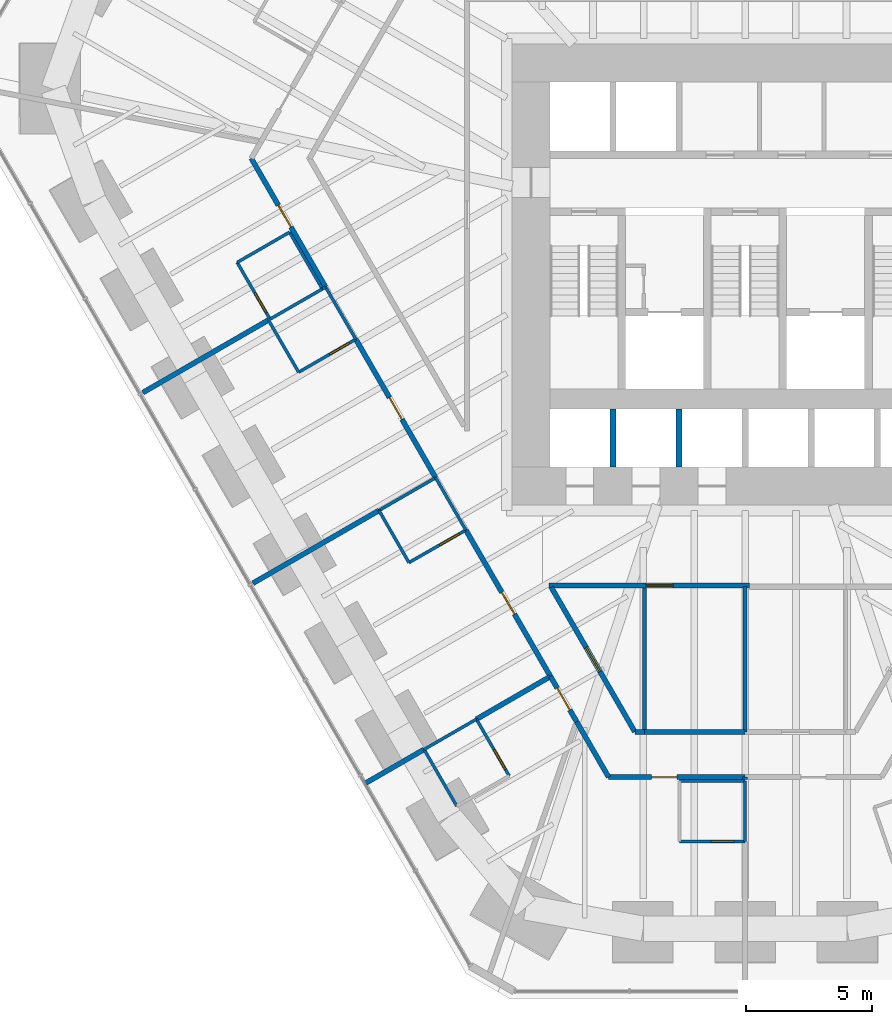
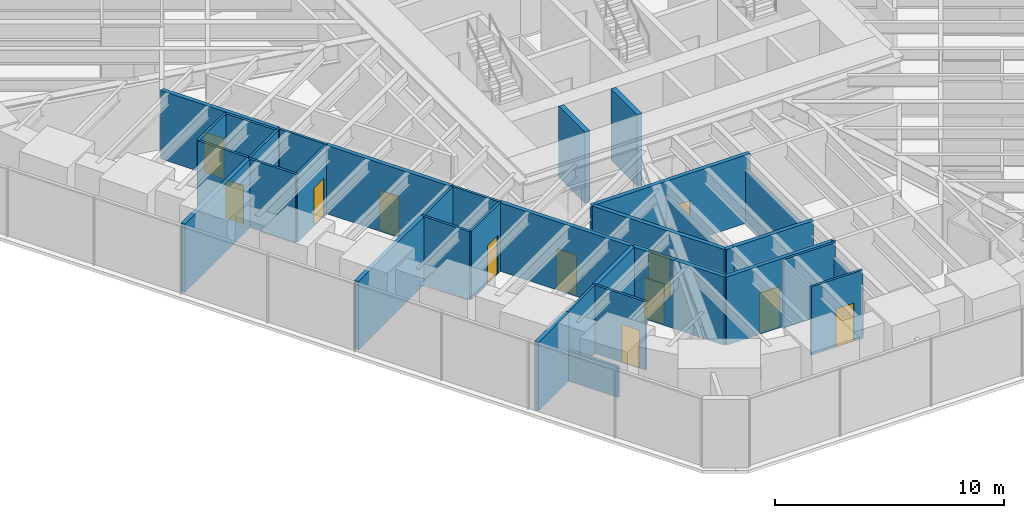
# One storey, part 11 of 17: 37 walls, 12 doors, 12 openings.
"""IFC4 building model written with IfcOpenShell, lengths in metres."""

from ifc_helpers import new_model, si_unit, direction, frame, frame_2d, origin, place, context, subcontext, project, spatial, rectangle, extrude, material, layer, layer_set, type_object, element, fill, save


model = new_model("IFC4")

# Units and contexts
model_context = context("Model", 3, precision=1e-05, world=origin(), true_north=direction((0.0, 1.0)))
body_context = subcontext(model_context, "Body", "Model", "MODEL_VIEW")
ifc_project = project(units=[si_unit("LENGTHUNIT", "METRE"), si_unit("AREAUNIT", "SQUARE_METRE"), si_unit("VOLUMEUNIT", "CUBIC_METRE"), si_unit("PLANEANGLEUNIT", "RADIAN"), si_unit("MASSUNIT", "GRAM", prefix="KILO")], contexts=[model_context])

# Site, building, storey
site_placement = place(None, origin())
site = spatial("IfcSite", under=ifc_project, at=site_placement, CompositionType="ELEMENT")
building_placement = place(site_placement, origin())
building = spatial("IfcBuilding", under=site, at=building_placement, Name="Sandreach Pilgrim Tower", CompositionType="ELEMENT")
storey_placement = place(building_placement, frame((0.0, 0.0, 80.0)))
storey = spatial("IfcBuildingStorey", under=building, at=storey_placement, Name="L19", CompositionType="ELEMENT", Elevation=80.0)

# Walls
ifc_material_1 = material(Name="Gypsum board on steel studs", Category="steel")
ifc_layer_1 = layer(ifc_material_1, 0.14990234375)
ifc_layer_set_1 = layer_set([ifc_layer_1], Name="Back of house wall 150")
wall_type_1 = type_object("IfcWallType", Name="Back of house wall 150", PredefinedType="PARTITIONING", material=ifc_layer_set_1)
wall_1_placement = place(storey_placement, frame((-4.0, -14.0, 0.0), z_axis=(0.0, 0.0, 1.0), x_axis=(0.0, -1.0, 0.0)))
element("IfcWall", 1, at=wall_1_placement, inside=storey, type_object=wall_type_1, Name="Back of house wall L19-062", PredefinedType="PARTITIONING", context=body_context, shape_type="SweptSolid", body=[
    extrude(rectangle(XDim=5.7099609375, YDim=0.14990234375, at=frame_2d((2.85498046875, 0.0))), origin(), (0.0, 0.0, 1.0), 2.8779296875),
])
wall_2_placement = place(storey_placement, frame((0.0, -13.949951171875, 0.0), z_axis=(0.0, 0.0, 1.0), x_axis=(0.0, -1.0, 0.0)))
element("IfcWall", 2, at=wall_2_placement, inside=storey, type_object=wall_type_1, Name="Back of house wall L19-075", PredefinedType="PARTITIONING", context=body_context, shape_type="SweptSolid", body=[
    extrude(rectangle(XDim=5.760009765625, YDim=0.14990234375, at=frame_2d((2.8798828125, 0.0))), origin(), (0.0, 0.0, 1.0), 2.860107421875),
])

# Wall, opening, door
ifc_material_2 = material(Name="Moisture-resistant gypsum board on steel studs", Category="steel")
ifc_layer_2 = layer(ifc_material_2, 0.1201171875)
ifc_layer_set_2 = layer_set([ifc_layer_2], Name="Bathroom partition 120")
wall_type_2 = type_object("IfcWallType", Name="Bathroom partition 120", PredefinedType="PARTITIONING", material=ifc_layer_set_2)
wall_3_placement = place(storey_placement, frame((-20.169921875, -1.070068359375, 0.0), z_axis=(0.0, 0.0, 1.0), x_axis=(0.500291685314, -0.865856933682, 0.0)))
wall_3 = element("IfcWall", 3, at=wall_3_placement, inside=storey, type_object=wall_type_2, Name="Bathroom partition L19-005", PredefinedType="PARTITIONING", context=body_context, shape_type="SweptSolid", body=[
    extrude(rectangle(XDim=2.5986328125, YDim=0.1201171875, at=frame_2d((1.29931640625, 0.0))), origin(), (0.0, 0.0, 1.0), 3.639892578125),
])
opening_1_placement = place(wall_3_placement, frame((1.398681640625, 0.0, 0.0)))
opening_1 = element("IfcOpeningElement", 4, at=opening_1_placement, cuts=wall_3, Name="Opening D09-16B", PredefinedType="OPENING", context=body_context, shape_type="SweptSolid", body=[
    extrude(rectangle(XDim=0.89990234375, YDim=2.030029296875, at=frame_2d((0.449951171875, 1.01513671875))), frame((0.0, 0.06005859375, 0.0), z_axis=(0.0, -1.0, 0.0), x_axis=(1.0, 0.0, 0.0)), (0.0, 0.0, 1.0), 0.1201171875),
])
ifc_material_3 = material(Name="Timber door, steel frame", Category="steel")
door_type_1 = type_object("IfcDoorType", Name="Bathroom door", OperationType="SINGLE_SWING_LEFT", PredefinedType="DOOR", material=ifc_material_3)
door_1_placement = place(opening_1_placement, origin())
door_1 = element("IfcDoor", 5, at=door_1_placement, inside=storey, type_object=door_type_1, Name="Door 1916B", OperationType="SINGLE_SWING_RIGHT", OverallHeight=2.030029296875, OverallWidth=0.89990234375, PredefinedType="DOOR", context=body_context, shape_type="SweptSolid", body=[
    extrude(rectangle(XDim=0.89990234375, YDim=2.030029296875, at=frame_2d((0.449951171875, 1.01513671875))), frame((0.0, 0.02490234375, 0.0), z_axis=(0.0, -1.0, 0.0), x_axis=(1.0, 0.0, 0.0)), (0.0, 0.0, 1.0), 0.050048828125),
])
fill(opening_1, door_1)

# Walls
wall_4_placement = place(storey_placement, frame((-18.929931640625, -3.360107421875, 0.0), z_axis=(0.0, 0.0, 1.0), x_axis=(0.501547039172, -0.865130376012, 0.0)))
element("IfcWall", 6, at=wall_4_placement, inside=storey, type_object=wall_type_2, Name="Bathroom partition L19-011", PredefinedType="PARTITIONING", context=body_context, shape_type="SweptSolid", body=[
    extrude(rectangle(XDim=2.392578125, YDim=0.1201171875, at=frame_2d((1.1962890625, 0.0))), origin(), (0.0, 0.0, 1.0), 3.639892578125),
])
wall_5_placement = place(storey_placement, frame((-18.86767578125, -3.323974609375, 0.0), z_axis=(0.0, 0.0, 1.0), x_axis=(0.866133109688, 0.499813401482, 0.0)))
element("IfcWall", 7, at=wall_5_placement, inside=storey, type_object=wall_type_2, Name="Bathroom partition L19-012", PredefinedType="PARTITIONING", context=body_context, shape_type="SweptSolid", body=[
    extrude(rectangle(XDim=2.4013671875, YDim=0.1201171875, at=frame_2d((1.20068359375, 0.0))), origin(), (0.0, 0.0, 1.0), 3.639892578125),
])
wall_6_placement = place(storey_placement, frame((-18.090087890625, 0.1298828125, 0.0), z_axis=(0.0, 0.0, 1.0), x_axis=(-0.866177122335, -0.499737123639, 0.0)))
element("IfcWall", 8, at=wall_6_placement, inside=storey, type_object=wall_type_2, Name="Bathroom partition L19-015", PredefinedType="PARTITIONING", context=body_context, shape_type="SweptSolid", body=[
    extrude(rectangle(XDim=2.401123046875, YDim=0.1201171875, at=frame_2d((1.20068359375, 0.0))), origin(), (0.0, 0.0, 1.0), 3.639892578125),
])

# Wall, opening, door
wall_7_placement = place(storey_placement, frame((-17.72998046875, -5.429931640625, 0.0), z_axis=(0.0, 0.0, 1.0), x_axis=(0.866114241029, 0.499846097802, 0.0)))
wall_7 = element("IfcWall", 9, at=wall_7_placement, inside=storey, type_object=wall_type_2, Name="Bathroom partition L19-016", PredefinedType="PARTITIONING", context=body_context, shape_type="SweptSolid", body=[
    extrude(rectangle(XDim=2.620849609375, YDim=0.1201171875, at=frame_2d((1.310546875, 0.0))), origin(), (0.0, 0.0, 1.0), 3.639892578125),
])
opening_2_placement = place(wall_7_placement, frame((1.4208984375, 0.0, 0.0)))
opening_2 = element("IfcOpeningElement", 10, at=opening_2_placement, cuts=wall_7, Name="Opening D09-15B", PredefinedType="OPENING", context=body_context, shape_type="SweptSolid", body=[
    extrude(rectangle(XDim=0.89990234375, YDim=2.030029296875, at=frame_2d((0.449951171875, 1.01513671875))), frame((0.0, 0.06005859375, 0.0), z_axis=(0.0, -1.0, 0.0), x_axis=(1.0, 0.0, 0.0)), (0.0, 0.0, 1.0), 0.1201171875),
])
door_2_placement = place(opening_2_placement, origin())
door_2 = element("IfcDoor", 11, at=door_2_placement, inside=storey, type_object=door_type_1, Name="Door 1915B", OperationType="SINGLE_SWING_RIGHT", OverallHeight=2.030029296875, OverallWidth=0.89990234375, PredefinedType="DOOR", context=body_context, shape_type="SweptSolid", body=[
    extrude(rectangle(XDim=0.89990234375, YDim=2.030029296875, at=frame_2d((0.449951171875, 1.01513671875))), frame((0.0, 0.02490234375, 0.0), z_axis=(0.0, -1.0, 0.0), x_axis=(1.0, 0.0, 0.0)), (0.0, 0.0, 1.0), 0.050048828125),
])
fill(opening_2, door_2)

# Walls
wall_8_placement = place(storey_placement, frame((-16.7900390625, -2.1201171875, 0.0), z_axis=(0.0, 0.0, 1.0), x_axis=(-0.50025099007, 0.865880446098, 0.0)))
element("IfcWall", 12, at=wall_8_placement, inside=storey, type_object=wall_type_2, Name="Bathroom partition L19-020", PredefinedType="PARTITIONING", context=body_context, shape_type="SweptSolid", body=[
    extrude(rectangle(XDim=2.598876953125, YDim=0.1201171875, at=frame_2d((1.29931640625, 0.0))), origin(), (0.0, 0.0, 1.0), 3.639892578125),
])
wall_9_placement = place(storey_placement, frame((-16.787841796875, -2.123779296875, 0.0), z_axis=(0.0, 0.0, 1.0), x_axis=(0.866405716731, 0.499340699338, 0.0)))
element("IfcWall", 13, at=wall_9_placement, inside=storey, type_object=wall_type_2, Name="Bathroom partition L19-021", PredefinedType="PARTITIONING", context=body_context, shape_type="SweptSolid", body=[
    extrude(rectangle(XDim=0.147705078125, YDim=0.1201171875, at=frame_2d((0.07373046875, 0.0))), origin(), (0.0, 0.0, 1.0), 3.639892578125),
])
wall_10_placement = place(storey_placement, frame((-16.659912109375, -2.050048828125, 0.0), z_axis=(0.0, 0.0, 1.0), x_axis=(0.501502765098, -0.865156041763, 0.0)))
element("IfcWall", 14, at=wall_10_placement, inside=storey, type_object=wall_type_2, Name="Bathroom partition L19-022", PredefinedType="PARTITIONING", context=body_context, shape_type="SweptSolid", body=[
    extrude(rectangle(XDim=2.392822265625, YDim=0.1201171875, at=frame_2d((1.1962890625, 0.0))), origin(), (0.0, 0.0, 1.0), 3.639892578125),
])
wall_11_placement = place(storey_placement, frame((-14.5400390625, -10.919921875, 0.0), z_axis=(0.0, 0.0, 1.0), x_axis=(0.49836161924, -0.866969259241, 0.0)))
element("IfcWall", 15, at=wall_11_placement, inside=storey, type_object=wall_type_2, Name="Bathroom partition L19-029", PredefinedType="PARTITIONING", context=body_context, shape_type="SweptSolid", body=[
    extrude(rectangle(XDim=2.3876953125, YDim=0.1201171875, at=frame_2d((1.19384765625, 0.0))), origin(), (0.0, 0.0, 1.0), 3.639892578125),
])
wall_12_placement = place(storey_placement, frame((-14.5400390625, -10.919921875, 0.0), z_axis=(0.0, 0.0, 1.0), x_axis=(0.865897630733, 0.500221244143, 0.0)))
element("IfcWall", 16, at=wall_12_placement, inside=storey, type_object=wall_type_2, Name="Bathroom partition L19-030", PredefinedType="PARTITIONING", context=body_context, shape_type="SweptSolid", body=[
    extrude(rectangle(XDim=2.598388671875, YDim=0.1201171875, at=frame_2d((1.29931640625, 0.0))), origin(), (0.0, 0.0, 1.0), 3.639892578125),
])

# Wall, opening, door
wall_13_placement = place(storey_placement, frame((-13.35009765625, -12.989990234375, 0.0), z_axis=(0.0, 0.0, 1.0), x_axis=(0.868473984885, 0.49573474518, 0.0)))
wall_13 = element("IfcWall", 17, at=wall_13_placement, inside=storey, type_object=wall_type_2, Name="Bathroom partition L19-033", PredefinedType="PARTITIONING", context=body_context, shape_type="SweptSolid", body=[
    extrude(rectangle(XDim=2.602294921875, YDim=0.1201171875, at=frame_2d((1.30126953125, 0.0))), origin(), (0.0, 0.0, 1.0), 3.639892578125),
])
opening_3_placement = place(wall_13_placement, frame((1.402099609375, 0.0, 0.0)))
opening_3 = element("IfcOpeningElement", 18, at=opening_3_placement, cuts=wall_13, Name="Opening D09-14B", PredefinedType="OPENING", context=body_context, shape_type="SweptSolid", body=[
    extrude(rectangle(XDim=0.89990234375, YDim=2.030029296875, at=frame_2d((0.449951171875, 1.01513671875))), frame((0.0, 0.06005859375, 0.0), z_axis=(0.0, -1.0, 0.0), x_axis=(1.0, 0.0, 0.0)), (0.0, 0.0, 1.0), 0.1201171875),
])
door_3_placement = place(opening_3_placement, origin())
door_3 = element("IfcDoor", 19, at=door_3_placement, inside=storey, type_object=door_type_1, Name="Door 1914B", OperationType="SINGLE_SWING_RIGHT", OverallHeight=2.030029296875, OverallWidth=0.89990234375, PredefinedType="DOOR", context=body_context, shape_type="SweptSolid", body=[
    extrude(rectangle(XDim=0.89990234375, YDim=2.030029296875, at=frame_2d((0.449951171875, 1.01513671875))), frame((0.0, 0.02490234375, 0.0), z_axis=(0.0, -1.0, 0.0), x_axis=(1.0, 0.0, 0.0)), (0.0, 0.0, 1.0), 0.050048828125),
])
fill(opening_3, door_3)

# Walls
wall_14_placement = place(storey_placement, frame((-12.75, -20.409912109375, 0.0), z_axis=(0.0, 0.0, 1.0), x_axis=(0.50025099007, -0.865880446098, 0.0)))
element("IfcWall", 20, at=wall_14_placement, inside=storey, type_object=wall_type_2, Name="Bathroom partition L19-034", PredefinedType="PARTITIONING", context=body_context, shape_type="SweptSolid", body=[
    extrude(rectangle(XDim=2.598876953125, YDim=0.1201171875, at=frame_2d((1.29931640625, 0.0))), origin(), (0.0, 0.0, 1.0), 1.639892578125),
])
wall_15_placement = place(storey_placement, frame((-12.75, -20.409912109375, 0.0), z_axis=(0.0, 0.0, 1.0), x_axis=(0.866202511239, 0.499693115345, 0.0)))
element("IfcWall", 21, at=wall_15_placement, inside=storey, type_object=wall_type_2, Name="Bathroom partition L19-035", PredefinedType="PARTITIONING", context=body_context, shape_type="SweptSolid", body=[
    extrude(rectangle(XDim=2.4013671875, YDim=0.1201171875, at=frame_2d((1.20068359375, 0.0))), origin(), (0.0, 0.0, 1.0), 3.639892578125),
])
wall_16_placement = place(storey_placement, frame((-12.2900390625, -9.6201171875, 0.0), z_axis=(0.0, 0.0, 1.0), x_axis=(0.499737123639, -0.866177122335, 0.0)))
element("IfcWall", 22, at=wall_16_placement, inside=storey, type_object=wall_type_2, Name="Bathroom partition L19-039", PredefinedType="PARTITIONING", context=body_context, shape_type="SweptSolid", body=[
    extrude(rectangle(XDim=2.401123046875, YDim=0.1201171875, at=frame_2d((1.20068359375, 0.0))), origin(), (0.0, 0.0, 1.0), 3.639892578125),
])

# Wall, opening, door
wall_17_placement = place(storey_placement, frame((-9.3701171875, -21.4599609375, 0.0), z_axis=(0.0, 0.0, 1.0), x_axis=(-0.500221244143, 0.865897630733, 0.0)))
wall_17 = element("IfcWall", 23, at=wall_17_placement, inside=storey, type_object=wall_type_2, Name="Bathroom partition L19-051", PredefinedType="PARTITIONING", context=body_context, shape_type="SweptSolid", body=[
    extrude(rectangle(XDim=2.598388671875, YDim=0.1201171875, at=frame_2d((1.29931640625, 0.0))), origin(), (0.0, 0.0, 1.0), 3.639892578125),
])
opening_4_placement = place(wall_17_placement, frame((0.300048828125, 0.0, 0.0)))
opening_4 = element("IfcOpeningElement", 24, at=opening_4_placement, cuts=wall_17, Name="Opening D09-13B", PredefinedType="OPENING", context=body_context, shape_type="SweptSolid", body=[
    extrude(rectangle(XDim=0.89990234375, YDim=2.030029296875, at=frame_2d((0.449951171875, 1.01513671875))), frame((0.0, 0.06005859375, 0.0), z_axis=(0.0, -1.0, 0.0), x_axis=(1.0, 0.0, 0.0)), (0.0, 0.0, 1.0), 0.1201171875),
])
door_4_placement = place(opening_4_placement, origin())
door_4 = element("IfcDoor", 25, at=door_4_placement, inside=storey, type_object=door_type_1, Name="Door 1913B", OperationType="SINGLE_SWING_LEFT", OverallHeight=2.030029296875, OverallWidth=0.89990234375, PredefinedType="DOOR", context=body_context, shape_type="SweptSolid", body=[
    extrude(rectangle(XDim=0.89990234375, YDim=2.030029296875, at=frame_2d((0.449951171875, 1.01513671875))), frame((0.0, 0.02490234375, 0.0), z_axis=(0.0, -1.0, 0.0), x_axis=(1.0, 0.0, 0.0)), (0.0, 0.0, 1.0), 0.050048828125),
])
fill(opening_4, door_4)

wall_18_placement = place(storey_placement, frame((-2.60009765625, -24.06005859375, 0.0), z_axis=(0.0, 0.0, 1.0), x_axis=(1.0, 0.0, 0.0)))
wall_18 = element("IfcWall", 26, at=wall_18_placement, inside=storey, type_object=wall_type_2, Name="Bathroom partition L19-063", PredefinedType="PARTITIONING", context=body_context, shape_type="SweptSolid", body=[
    extrude(rectangle(XDim=2.60009765625, YDim=0.1201171875, at=frame_2d((1.300048828125, 0.0))), origin(), (0.0, 0.0, 1.0), 3.639892578125),
])
opening_5_placement = place(wall_18_placement, frame((1.25, 0.0, 0.0)))
opening_5 = element("IfcOpeningElement", 27, at=opening_5_placement, cuts=wall_18, Name="Opening D09-12B", PredefinedType="OPENING", context=body_context, shape_type="SweptSolid", body=[
    extrude(rectangle(XDim=0.89990234375, YDim=2.030029296875, at=frame_2d((0.449951171875, 1.01513671875))), frame((0.0, 0.06005859375, 0.0), z_axis=(0.0, -1.0, 0.0), x_axis=(1.0, 0.0, 0.0)), (0.0, 0.0, 1.0), 0.1201171875),
])
door_5_placement = place(opening_5_placement, origin())
door_5 = element("IfcDoor", 28, at=door_5_placement, inside=storey, type_object=door_type_1, Name="Door 1912B", OperationType="SINGLE_SWING_RIGHT", OverallHeight=2.030029296875, OverallWidth=0.89990234375, PredefinedType="DOOR", context=body_context, shape_type="SweptSolid", body=[
    extrude(rectangle(XDim=0.89990234375, YDim=2.030029296875, at=frame_2d((0.449951171875, 1.01513671875))), frame((0.0, 0.02490234375, 0.0), z_axis=(0.0, -1.0, 0.0), x_axis=(1.0, 0.0, 0.0)), (0.0, 0.0, 1.0), 0.050048828125),
])
fill(opening_5, door_5)

# Walls
wall_19_placement = place(storey_placement, frame((0.0, -24.06005859375, 0.0), z_axis=(0.0, 0.0, 1.0), x_axis=(0.0, 1.0, 0.0)))
element("IfcWall", 29, at=wall_19_placement, inside=storey, type_object=wall_type_2, Name="Bathroom partition L19-070", PredefinedType="PARTITIONING", context=body_context, shape_type="SweptSolid", body=[
    extrude(rectangle(XDim=2.400146484375, YDim=0.1201171875, at=frame_2d((1.2001953125, 0.0))), origin(), (0.0, 0.0, 1.0), 2.860107421875),
])
wall_20_placement = place(storey_placement, frame((0.0, -21.659912109375, 0.0), z_axis=(0.0, 0.0, 1.0), x_axis=(-1.0, 0.0, 0.0)))
element("IfcWall", 30, at=wall_20_placement, inside=storey, type_object=wall_type_2, Name="Bathroom partition L19-071", PredefinedType="PARTITIONING", context=body_context, shape_type="SweptSolid", body=[
    extrude(rectangle(XDim=2.60009765625, YDim=0.1201171875, at=frame_2d((1.300048828125, 0.0))), origin(), (0.0, 0.0, 1.0), 3.639892578125),
])

# Wall, opening, door
ifc_material_4 = material(Name="Gypsum board on steel studs, two layers each side", Category="steel")
ifc_layer_3 = layer(ifc_material_4, 0.199951171875)
ifc_layer_set_3 = layer_set([ifc_layer_3], Name="Corridor wall 200")
wall_type_3 = type_object("IfcWallType", Name="Corridor wall 200", PredefinedType="PARTITIONING", material=ifc_layer_set_3)
wall_21_placement = place(storey_placement, frame((-19.610107421875, 3.06005859375, 0.0), z_axis=(0.0, 0.0, 1.0), x_axis=(0.499983910424, -0.866034692906, 0.0)))
wall_21 = element("IfcWall", 31, at=wall_21_placement, inside=storey, type_object=wall_type_3, Name="Corridor wall L19-007", PredefinedType="PARTITIONING", context=body_context, shape_type="SweptSolid", body=[
    extrude(rectangle(XDim=5.900634765625, YDim=0.199951171875, at=frame_2d((2.9501953125, 0.0))), origin(), (0.0, 0.0, 1.0), 3.639892578125),
])
opening_6_placement = place(wall_21_placement, frame((2.14990234375, 0.0, 0.0)))
opening_6 = element("IfcOpeningElement", 32, at=opening_6_placement, cuts=wall_21, Name="Opening D10-16", PredefinedType="OPENING", context=body_context, shape_type="SweptSolid", body=[
    extrude(rectangle(XDim=1.0, YDim=2.1298828125, at=frame_2d((0.5, 1.06494140625))), frame((0.0, 0.10009765625, 0.0), z_axis=(0.0, -1.0, 0.0), x_axis=(1.0, 0.0, 0.0)), (0.0, 0.0, 1.0), 0.199951171875),
])
ifc_material_5 = material(Name="Steel door and frame", Category="steel")
door_type_2 = type_object("IfcDoorType", Name="Guest room entry door", OperationType="SINGLE_SWING_LEFT", PredefinedType="DOOR", material=ifc_material_5)
door_6_placement = place(opening_6_placement, origin())
door_6 = element("IfcDoor", 33, at=door_6_placement, inside=storey, type_object=door_type_2, Name="Door 1916", OperationType="SINGLE_SWING_LEFT", OverallHeight=2.1298828125, OverallWidth=1.0, PredefinedType="DOOR", context=body_context, shape_type="SweptSolid", body=[
    extrude(rectangle(XDim=1.0, YDim=2.1298828125, at=frame_2d((0.5, 1.06494140625))), frame((0.0, 0.02490234375, 0.0), z_axis=(0.0, -1.0, 0.0), x_axis=(1.0, 0.0, 0.0)), (0.0, 0.0, 1.0), 0.050048828125),
])
fill(opening_6, door_6)

wall_22_placement = place(storey_placement, frame((-15.4599609375, -4.1201171875, 0.0), z_axis=(0.0, 0.0, 1.0), x_axis=(0.499349514416, -0.866400636226, 0.0)))
wall_22 = element("IfcWall", 34, at=wall_22_placement, inside=storey, type_object=wall_type_3, Name="Corridor wall L19-025", PredefinedType="PARTITIONING", context=body_context, shape_type="SweptSolid", body=[
    extrude(rectangle(XDim=6.34814453125, YDim=0.199951171875, at=frame_2d((3.174072265625, 0.0))), origin(), (0.0, 0.0, 1.0), 3.639892578125),
])
opening_7_placement = place(wall_22_placement, frame((2.674072265625, 0.0, 0.0)))
opening_7 = element("IfcOpeningElement", 35, at=opening_7_placement, cuts=wall_22, Name="Opening D10-15", PredefinedType="OPENING", context=body_context, shape_type="SweptSolid", body=[
    extrude(rectangle(XDim=1.0, YDim=2.1298828125, at=frame_2d((0.5, 1.06494140625))), frame((0.0, 0.10009765625, 0.0), z_axis=(0.0, -1.0, 0.0), x_axis=(1.0, 0.0, 0.0)), (0.0, 0.0, 1.0), 0.199951171875),
])
door_7_placement = place(opening_7_placement, origin())
door_7 = element("IfcDoor", 36, at=door_7_placement, inside=storey, type_object=door_type_2, Name="Door 1915", OperationType="SINGLE_SWING_LEFT", OverallHeight=2.1298828125, OverallWidth=1.0, PredefinedType="DOOR", context=body_context, shape_type="SweptSolid", body=[
    extrude(rectangle(XDim=1.0, YDim=2.1298828125, at=frame_2d((0.5, 1.06494140625))), frame((0.0, 0.02490234375, 0.0), z_axis=(0.0, -1.0, 0.0), x_axis=(1.0, 0.0, 0.0)), (0.0, 0.0, 1.0), 0.050048828125),
])
fill(opening_7, door_7)

wall_23_placement = place(storey_placement, frame((-11.090087890625, -11.699951171875, 0.0), z_axis=(0.0, 0.0, 1.0), x_axis=(0.500633295611, -0.865659461524, 0.0)))
wall_23 = element("IfcWall", 37, at=wall_23_placement, inside=storey, type_object=wall_type_3, Name="Corridor wall L19-044", PredefinedType="PARTITIONING", context=body_context, shape_type="SweptSolid", body=[
    extrude(rectangle(XDim=6.711669921875, YDim=0.199951171875, at=frame_2d((3.35595703125, 0.0))), origin(), (0.0, 0.0, 1.0), 3.639892578125),
])
opening_8_placement = place(wall_23_placement, frame((2.855712890625, 0.0, 0.0)))
opening_8 = element("IfcOpeningElement", 38, at=opening_8_placement, cuts=wall_23, Name="Opening D10-14", PredefinedType="OPENING", context=body_context, shape_type="SweptSolid", body=[
    extrude(rectangle(XDim=1.0, YDim=2.1298828125, at=frame_2d((0.5, 1.06494140625))), frame((0.0, 0.10009765625, 0.0), z_axis=(0.0, -1.0, 0.0), x_axis=(1.0, 0.0, 0.0)), (0.0, 0.0, 1.0), 0.199951171875),
])
door_8_placement = place(opening_8_placement, origin())
door_8 = element("IfcDoor", 39, at=door_8_placement, inside=storey, type_object=door_type_2, Name="Door 1914", OperationType="SINGLE_SWING_LEFT", OverallHeight=2.1298828125, OverallWidth=1.0, PredefinedType="DOOR", context=body_context, shape_type="SweptSolid", body=[
    extrude(rectangle(XDim=1.0, YDim=2.1298828125, at=frame_2d((0.5, 1.06494140625))), frame((0.0, 0.02490234375, 0.0), z_axis=(0.0, -1.0, 0.0), x_axis=(1.0, 0.0, 0.0)), (0.0, 0.0, 1.0), 0.050048828125),
])
fill(opening_8, door_8)

wall_24_placement = place(storey_placement, frame((-7.72998046875, -17.510009765625, 0.0), z_axis=(0.0, 0.0, 1.0), x_axis=(0.500281510986, -0.865862812324, 0.0)))
wall_24 = element("IfcWall", 40, at=wall_24_placement, inside=storey, type_object=wall_type_3, Name="Corridor wall L19-055", PredefinedType="PARTITIONING", context=body_context, shape_type="SweptSolid", body=[
    extrude(rectangle(XDim=2.078857421875, YDim=0.199951171875, at=frame_2d((1.03955078125, 0.0))), origin(), (0.0, 0.0, 1.0), 3.639892578125),
])
opening_9_placement = place(wall_24_placement, frame((0.539306640625, 0.0, 0.0)))
opening_9 = element("IfcOpeningElement", 41, at=opening_9_placement, cuts=wall_24, Name="Opening D10-13", PredefinedType="OPENING", context=body_context, shape_type="SweptSolid", body=[
    extrude(rectangle(XDim=1.0, YDim=2.1298828125, at=frame_2d((0.5, 1.06494140625))), frame((0.0, 0.10009765625, 0.0), z_axis=(0.0, -1.0, 0.0), x_axis=(1.0, 0.0, 0.0)), (0.0, 0.0, 1.0), 0.199951171875),
])
door_9_placement = place(opening_9_placement, origin())
door_9 = element("IfcDoor", 42, at=door_9_placement, inside=storey, type_object=door_type_2, Name="Door 1913", OperationType="SINGLE_SWING_LEFT", OverallHeight=2.1298828125, OverallWidth=1.0, PredefinedType="DOOR", context=body_context, shape_type="SweptSolid", body=[
    extrude(rectangle(XDim=1.0, YDim=2.1298828125, at=frame_2d((0.5, 1.06494140625))), frame((0.0, 0.02490234375, 0.0), z_axis=(0.0, -1.0, 0.0), x_axis=(1.0, 0.0, 0.0)), (0.0, 0.0, 1.0), 0.050048828125),
])
fill(opening_9, door_9)

# Wall
wall_25_placement = place(storey_placement, frame((-6.68994140625, -19.31005859375, 0.0), z_axis=(0.0, 0.0, 1.0), x_axis=(0.499963722229, -0.866046347752, 0.0)))
element("IfcWall", 43, at=wall_25_placement, inside=storey, type_object=wall_type_3, Name="Corridor wall L19-056", PredefinedType="PARTITIONING", context=body_context, shape_type="SweptSolid", body=[
    extrude(rectangle(XDim=2.540283203125, YDim=0.199951171875, at=frame_2d((1.27001953125, 0.0))), origin(), (0.0, 0.0, 1.0), 3.639892578125),
])

# Wall, opening, door
wall_26_placement = place(storey_placement, frame((-5.419921875, -21.510009765625, 0.0), z_axis=(0.0, 0.0, 1.0), x_axis=(1.0, 0.0, 0.0)))
wall_26 = element("IfcWall", 44, at=wall_26_placement, inside=storey, type_object=wall_type_3, Name="Corridor wall L19-057", PredefinedType="PARTITIONING", context=body_context, shape_type="SweptSolid", body=[
    extrude(rectangle(XDim=5.419921875, YDim=0.199951171875, at=frame_2d((2.7099609375, 0.0))), origin(), (0.0, 0.0, 1.0), 3.639892578125),
])
opening_10_placement = place(wall_26_placement, frame((1.7099609375, 0.0, 0.0)))
opening_10 = element("IfcOpeningElement", 45, at=opening_10_placement, cuts=wall_26, Name="Opening D10-12", PredefinedType="OPENING", context=body_context, shape_type="SweptSolid", body=[
    extrude(rectangle(XDim=1.0, YDim=2.1298828125, at=frame_2d((0.5, 1.06494140625))), frame((0.0, 0.10009765625, 0.0), z_axis=(0.0, -1.0, 0.0), x_axis=(1.0, 0.0, 0.0)), (0.0, 0.0, 1.0), 0.199951171875),
])
door_10_placement = place(opening_10_placement, origin())
door_10 = element("IfcDoor", 46, at=door_10_placement, inside=storey, type_object=door_type_2, Name="Door 1912", OperationType="SINGLE_SWING_LEFT", OverallHeight=2.1298828125, OverallWidth=1.0, PredefinedType="DOOR", context=body_context, shape_type="SweptSolid", body=[
    extrude(rectangle(XDim=1.0, YDim=2.1298828125, at=frame_2d((0.5, 1.06494140625))), frame((0.0, 0.02490234375, 0.0), z_axis=(0.0, -1.0, 0.0), x_axis=(1.0, 0.0, 0.0)), (0.0, 0.0, 1.0), 0.050048828125),
])
fill(opening_10, door_10)

wall_27_placement = place(storey_placement, frame((-4.3798828125, -19.7099609375, 0.0), z_axis=(0.0, 0.0, 1.0), x_axis=(-0.500523653757, 0.865722860984, 0.0)))
wall_27 = element("IfcWall", 47, at=wall_27_placement, inside=storey, type_object=wall_type_3, Name="Corridor wall L19-060", PredefinedType="PARTITIONING", context=body_context, shape_type="SweptSolid", body=[
    extrude(rectangle(XDim=6.62841796875, YDim=0.199951171875, at=frame_2d((3.314208984375, 0.0))), origin(), (0.0, 0.0, 1.0), 3.639892578125),
])
opening_11_placement = place(wall_27_placement, frame((2.76416015625, 0.0, 0.0)))
opening_11 = element("IfcOpeningElement", 48, at=opening_11_placement, cuts=wall_27, Name="Opening D11H-S1", PredefinedType="OPENING", context=body_context, shape_type="SweptSolid", body=[
    extrude(rectangle(XDim=1.10009765625, YDim=2.199951171875, at=frame_2d((0.550048828125, 1.10009765625))), frame((0.0, 0.10009765625, 0.0), z_axis=(0.0, -1.0, 0.0), x_axis=(1.0, 0.0, 0.0)), (0.0, 0.0, 1.0), 0.199951171875),
])
ifc_material_6 = material(Name="Steel door and frame", Category="steel")
door_type_3 = type_object("IfcDoorType", Name="Back of house door", OperationType="SINGLE_SWING_LEFT", PredefinedType="DOOR", material=ifc_material_6)
door_11_placement = place(opening_11_placement, origin())
door_11 = element("IfcDoor", 49, at=door_11_placement, inside=storey, type_object=door_type_3, Name="Door 19S1", OperationType="SINGLE_SWING_LEFT", OverallHeight=2.199951171875, OverallWidth=1.10009765625, PredefinedType="DOOR", context=body_context, shape_type="SweptSolid", body=[
    extrude(rectangle(XDim=1.10009765625, YDim=2.199951171875, at=frame_2d((0.550048828125, 1.10009765625))), frame((0.0, 0.02490234375, 0.0), z_axis=(0.0, -1.0, 0.0), x_axis=(1.0, 0.0, 0.0)), (0.0, 0.0, 1.0), 0.050048828125),
])
fill(opening_11, door_11)

# Walls
wall_28_placement = place(storey_placement, frame((-4.0, -19.7099609375, 0.0), z_axis=(0.0, 0.0, 1.0), x_axis=(-1.0, 0.0, 0.0)))
element("IfcWall", 50, at=wall_28_placement, inside=storey, type_object=wall_type_3, Name="Corridor wall L19-061", PredefinedType="PARTITIONING", context=body_context, shape_type="SweptSolid", body=[
    extrude(rectangle(XDim=0.3798828125, YDim=0.199951171875, at=frame_2d((0.18994140625, 0.0))), origin(), (0.0, 0.0, 1.0), 3.639892578125),
])
wall_29_placement = place(storey_placement, frame((0.0, -19.7099609375, 0.0), z_axis=(0.0, 0.0, 1.0), x_axis=(-1.0, 0.0, 0.0)))
element("IfcWall", 51, at=wall_29_placement, inside=storey, type_object=wall_type_3, Name="Corridor wall L19-074", PredefinedType="PARTITIONING", context=body_context, shape_type="SweptSolid", body=[
    extrude(rectangle(XDim=4.0, YDim=0.199951171875, at=frame_2d((2.0, 0.0))), origin(), (0.0, 0.0, 1.0), 3.639892578125),
])

# Wall, opening, door
wall_30_placement = place(storey_placement, frame((0.179931640625, -13.89990234375, 0.0), z_axis=(0.0, 0.0, 1.0), x_axis=(-1.0, 0.0, 0.0)))
wall_30 = element("IfcWall", 52, at=wall_30_placement, inside=storey, type_object=wall_type_3, Name="Corridor wall L19-080", PredefinedType="PARTITIONING", context=body_context, shape_type="SweptSolid", body=[
    extrude(rectangle(XDim=7.969970703125, YDim=0.199951171875, at=frame_2d((3.98486328125, 0.0))), origin(), (0.0, 0.0, 1.0), 3.639892578125),
])
opening_12_placement = place(wall_30_placement, frame((3.034912109375, 0.0, 0.0)))
opening_12 = element("IfcOpeningElement", 53, at=opening_12_placement, cuts=wall_30, Name="Opening D11H-S2", PredefinedType="OPENING", context=body_context, shape_type="SweptSolid", body=[
    extrude(rectangle(XDim=1.10009765625, YDim=2.199951171875, at=frame_2d((0.550048828125, 1.10009765625))), frame((0.0, 0.10009765625, 0.0), z_axis=(0.0, -1.0, 0.0), x_axis=(1.0, 0.0, 0.0)), (0.0, 0.0, 1.0), 0.199951171875),
])
door_12_placement = place(opening_12_placement, origin())
door_12 = element("IfcDoor", 54, at=door_12_placement, inside=storey, type_object=door_type_3, Name="Door 19S2", OperationType="SINGLE_SWING_LEFT", OverallHeight=2.199951171875, OverallWidth=1.10009765625, PredefinedType="DOOR", context=body_context, shape_type="SweptSolid", body=[
    extrude(rectangle(XDim=1.10009765625, YDim=2.199951171875, at=frame_2d((0.550048828125, 1.10009765625))), frame((0.0, 0.02490234375, 0.0), z_axis=(0.0, -1.0, 0.0), x_axis=(1.0, 0.0, 0.0)), (0.0, 0.0, 1.0), 0.050048828125),
])
fill(opening_12, door_12)

# Walls
ifc_material_7 = material(Name="Double steel stud acoustic wall, gypsum board", Category="steel")
ifc_layer_4 = layer(ifc_material_7, 0.199951171875)
ifc_layer_set_4 = layer_set([ifc_layer_4], Name="Party wall 200")
wall_type_4 = type_object("IfcWallType", Name="Party wall 200", PredefinedType="PARTITIONING", material=ifc_layer_set_4)
wall_31_placement = place(storey_placement, frame((-23.916015625, -6.239990234375, 0.0), z_axis=(0.0, 0.0, 1.0), x_axis=(0.865919350456, 0.50018364478, 0.0)))
element("IfcWall", 55, at=wall_31_placement, inside=storey, type_object=wall_type_4, Name="Party wall L19-003", PredefinedType="PARTITIONING", context=body_context, shape_type="SweptSolid", body=[
    extrude(rectangle(XDim=5.758056640625, YDim=0.199951171875, at=frame_2d((2.87890625, 0.0))), origin(), (0.0, 0.0, 1.0), 3.639892578125),
])
wall_32_placement = place(storey_placement, frame((-19.546142578125, -13.81005859375, 0.0), z_axis=(0.0, 0.0, 1.0), x_axis=(0.866035778077, 0.499982030767, 0.0)))
element("IfcWall", 56, at=wall_32_placement, inside=storey, type_object=wall_type_4, Name="Party wall L19-008", PredefinedType="PARTITIONING", context=body_context, shape_type="SweptSolid", body=[
    extrude(rectangle(XDim=5.780517578125, YDim=0.199951171875, at=frame_2d((2.89013671875, 0.0))), origin(), (0.0, 0.0, 1.0), 3.639892578125),
])
wall_33_placement = place(storey_placement, frame((-15.06396484375, -21.7451171875, 0.0), z_axis=(0.0, 0.0, 1.0), x_axis=(0.866149070221, 0.499785742249, 0.0)))
element("IfcWall", 57, at=wall_33_placement, inside=storey, type_object=wall_type_4, Name="Party wall L19-028", PredefinedType="PARTITIONING", context=body_context, shape_type="SweptSolid", body=[
    extrude(rectangle(XDim=2.671630859375, YDim=0.199951171875, at=frame_2d((1.3359375, 0.0))), origin(), (0.0, 0.0, 1.0), 3.639892578125),
])
wall_34_placement = place(storey_placement, frame((-10.669921875, -19.2099609375, 0.0), z_axis=(0.0, 0.0, 1.0), x_axis=(0.865707941605, 0.500549457937, 0.0)))
element("IfcWall", 58, at=wall_34_placement, inside=storey, type_object=wall_type_4, Name="Party wall L19-046", PredefinedType="PARTITIONING", context=body_context, shape_type="SweptSolid", body=[
    extrude(rectangle(XDim=3.381103515625, YDim=0.199951171875, at=frame_2d((1.6904296875, 0.0))), origin(), (0.0, 0.0, 1.0), 3.639892578125),
])
wall_35_placement = place(storey_placement, frame((0.0, -21.60009765625, 0.0), z_axis=(0.0, 0.0, 1.0), x_axis=(0.0, 1.0, 0.0)))
element("IfcWall", 59, at=wall_35_placement, inside=storey, type_object=wall_type_4, Name="Party wall L19-072", PredefinedType="PARTITIONING", context=body_context, shape_type="SweptSolid", body=[
    extrude(rectangle(XDim=0.090087890625, YDim=0.199951171875, at=frame_2d((0.044921875, 0.0))), origin(), (0.0, 0.0, 1.0), 3.639892578125),
])
ifc_material_8 = material(Name="Gypsum shaft wall on steel studs, two layers of shaft liner board", Category="steel")
ifc_layer_5 = layer(ifc_material_8, 0.25)
ifc_layer_set_5 = layer_set([ifc_layer_5], Name="Shaft partition 250")
wall_type_5 = type_object("IfcWallType", Name="Shaft partition 250", PredefinedType="PARTITIONING", material=ifc_layer_set_5)
for number, where, z_axis, x_axis, name in (
    (60, (-5.25, -9.199951171875, 0.0), (0.0, 0.0, 1.0), (0.0, 1.0, 0.0), "Shaft partition XS0 L19"),
    (61, (-2.625, -9.199951171875, 0.0), (0.0, 0.0, 1.0), (0.0, 1.0, 0.0), "Shaft partition XS1 L19"),
):
    element("IfcWall", number, at=place(storey_placement, frame(where, z_axis=z_axis, x_axis=x_axis)), inside=storey, type_object=wall_type_5, Name=name, PredefinedType="PARTITIONING", context=body_context, shape_type="SweptSolid", body=[
        extrude(rectangle(XDim=2.300048828125, YDim=0.25, at=frame_2d((1.14990234375, 0.0))), origin(), (0.0, 0.0, 1.0), 3.800048828125),
    ])

save(model, "model.ifc")
